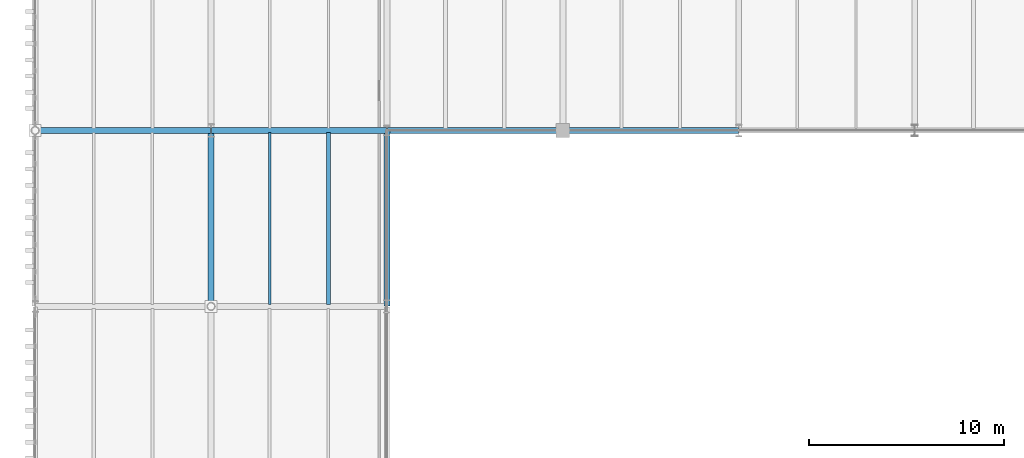
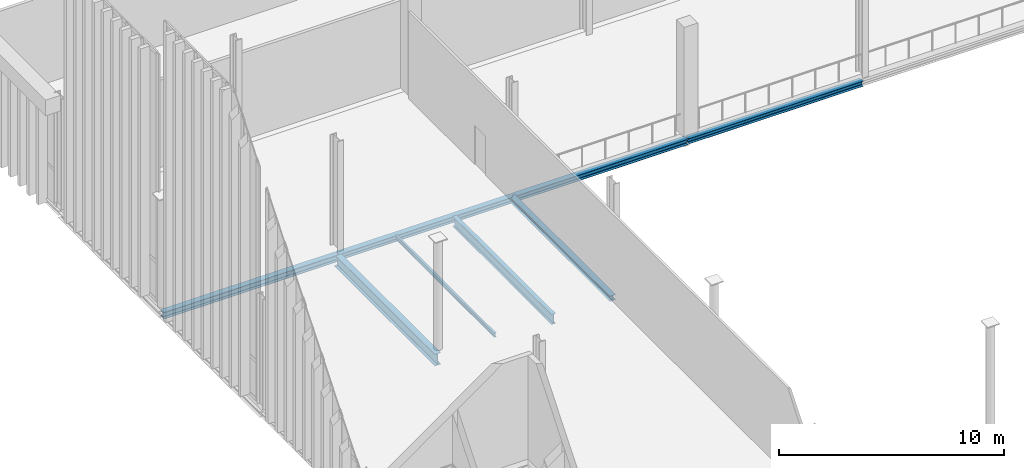
# One storey, part 61 of 237: 8 beams.
"""IFC4 building model written with IfcOpenShell, lengths in metres."""

from ifc_helpers import new_model, si_unit, direction, frame, origin, origin_2d, place, context, subcontext, project, spatial, i_section, extrude, material, material_profile, profile_set, type_object, element, save


model = new_model("IFC4")

# Units and contexts
model_context = context("Model", 3, precision=1e-05, world=origin(), true_north=direction((0.0, 1.0)))
body_context = subcontext(model_context, "Body", "Model", "MODEL_VIEW")
ifc_project = project(units=[si_unit("LENGTHUNIT", "METRE"), si_unit("AREAUNIT", "SQUARE_METRE"), si_unit("VOLUMEUNIT", "CUBIC_METRE"), si_unit("PLANEANGLEUNIT", "RADIAN"), si_unit("MASSUNIT", "GRAM", prefix="KILO")], contexts=[model_context])

# Site, building, storey
site_placement = place(None, origin())
site = spatial("IfcSite", under=ifc_project, at=site_placement, CompositionType="ELEMENT")
building_placement = place(site_placement, origin())
building = spatial("IfcBuilding", under=site, at=building_placement, Name="Barlavento Convention Centre", CompositionType="ELEMENT")
storey_placement = place(building_placement, frame((0.0, 0.0, 12.0)))
storey = spatial("IfcBuildingStorey", under=building, at=storey_placement, Name="L02", CompositionType="ELEMENT", Elevation=12.0)

# Beams
ifc_material = material(Name="Steel S355", Category="steel")
ifc_material_profile_1 = material_profile(ifc_material, i_section(OverallWidth=0.110107421875, OverallDepth=0.219970703125, WebThickness=0.005859375, FlangeThickness=0.00927734375, FilletRadius=0.011962890625, at=origin_2d()), Name="IPE 220")
ifc_profile_set_1 = profile_set([ifc_material_profile_1], Name="Steel S355")
beam_type_1 = type_object("IfcBeamType", Name="STR-BM-JST-IPE220", PredefinedType="JOIST", material=ifc_profile_set_1)
beam_1_placement = place(storey_placement, frame((12.0, 36.094970703125, -0.409912109375), z_axis=(0.0, 1.0, 0.0), x_axis=(-1.0, 0.0, 0.0)))
element("IfcBeam", 1, at=beam_1_placement, inside=storey, type_object=beam_type_1, Name="L02 composite floor joist SJ10", PredefinedType="JOIST", context=body_context, shape_type="SweptSolid", body=[
    extrude(i_section(OverallWidth=0.110107421875, OverallDepth=0.219970703125, WebThickness=0.005859375, FlangeThickness=0.00927734375, FilletRadius=0.011962890625, at=origin_2d()), origin(), (0.0, 0.0, 1.0), 8.81005859375),
])
ifc_material_profile_2 = material_profile(ifc_material, i_section(OverallWidth=0.2099609375, OverallDepth=0.550048828125, WebThickness=0.010986328125, FlangeThickness=0.01708984375, FilletRadius=0.02392578125, at=origin_2d()), Name="IPE 550")
ifc_profile_set_2 = profile_set([ifc_material_profile_2], Name="Steel S355")
beam_type_2 = type_object("IfcBeamType", Name="STR-BM-JST-IPE550", PredefinedType="JOIST", material=ifc_profile_set_2)
beam_2_placement = place(storey_placement, frame((15.0, 36.094970703125, -0.574951171875), z_axis=(0.0, 1.0, 0.0), x_axis=(-1.0, 0.0, 0.0)))
element("IfcBeam", 2, at=beam_2_placement, inside=storey, type_object=beam_type_2, Name="L02 composite floor joist SJ01", PredefinedType="JOIST", context=body_context, shape_type="SweptSolid", body=[
    extrude(i_section(OverallWidth=0.2099609375, OverallDepth=0.550048828125, WebThickness=0.010986328125, FlangeThickness=0.01708984375, FilletRadius=0.02392578125, at=origin_2d()), origin(), (0.0, 0.0, 1.0), 8.81005859375),
])
ifc_material_profile_3 = material_profile(ifc_material, i_section(OverallWidth=0.300048828125, OverallDepth=0.639892578125, WebThickness=0.013427734375, FlangeThickness=0.02587890625, FilletRadius=0.027099609375, at=origin_2d()), Name="HEA 650")
ifc_profile_set_3 = profile_set([ifc_material_profile_3], Name="Steel S355")
beam_type_3 = type_object("IfcBeamType", Name="STR-BM-PRI-HEA650", PredefinedType="BEAM", material=ifc_profile_set_3)
beam_3_placement = place(storey_placement, frame((9.0, 36.02001953125, -0.6201171875), z_axis=(0.0, 1.0, 0.0), x_axis=(-1.0, 0.0, 0.0)))
element("IfcBeam", 3, at=beam_3_placement, inside=storey, type_object=beam_type_3, Name="L02 grid girder BG17", PredefinedType="BEAM", context=body_context, shape_type="SweptSolid", body=[
    extrude(i_section(OverallWidth=0.300048828125, OverallDepth=0.639892578125, WebThickness=0.013427734375, FlangeThickness=0.02587890625, FilletRadius=0.027099609375, at=origin_2d()), origin(), (0.0, 0.0, 1.0), 8.9599609375),
])
ifc_material_profile_4 = material_profile(ifc_material, i_section(OverallWidth=0.300048828125, OverallDepth=0.320068359375, WebThickness=0.011474609375, FlangeThickness=0.0205078125, FilletRadius=0.027099609375, at=origin_2d()), Name="HEB 320")
ifc_profile_set_4 = profile_set([ifc_material_profile_4], Name="Steel S355")
beam_type_4 = type_object("IfcBeamType", Name="STR-BM-PRI-HEB320", PredefinedType="BEAM", material=ifc_profile_set_4)
beam_4_placement = place(storey_placement, frame((9.02001953125, 45.0, -0.4599609375), z_axis=(1.0, 0.0, 0.0), x_axis=(0.0, 1.0, 0.0)))
element("IfcBeam", 4, at=beam_4_placement, inside=storey, type_object=beam_type_4, Name="L02 primary girder BG13", PredefinedType="BEAM", context=body_context, shape_type="SweptSolid", body=[
    extrude(i_section(OverallWidth=0.300048828125, OverallDepth=0.320068359375, WebThickness=0.011474609375, FlangeThickness=0.0205078125, FilletRadius=0.027099609375, at=origin_2d()), origin(), (0.0, 0.0, 1.0), 8.9599609375),
])
ifc_material_profile_5 = material_profile(ifc_material, i_section(OverallWidth=0.300048828125, OverallDepth=0.360107421875, WebThickness=0.012451171875, FlangeThickness=0.0224609375, FilletRadius=0.027099609375, at=origin_2d()), Name="HEB 360")
ifc_profile_set_5 = profile_set([ifc_material_profile_5], Name="Steel S355")
beam_type_5 = type_object("IfcBeamType", Name="STR-BM-PRI-HEB360", PredefinedType="BEAM", material=ifc_profile_set_5)
beam_5_placement = place(storey_placement, frame((0.02001953125, 45.0, -0.47998046875), z_axis=(1.0, 0.0, 0.0), x_axis=(0.0, 1.0, 0.0)))
element("IfcBeam", 5, at=beam_5_placement, inside=storey, type_object=beam_type_5, Name="L02 primary girder BG12", PredefinedType="BEAM", context=body_context, shape_type="SweptSolid", body=[
    extrude(i_section(OverallWidth=0.300048828125, OverallDepth=0.360107421875, WebThickness=0.012451171875, FlangeThickness=0.0224609375, FilletRadius=0.027099609375, at=origin_2d()), origin(), (0.0, 0.0, 1.0), 8.9599609375),
])
ifc_material_profile_6 = material_profile(ifc_material, i_section(OverallWidth=0.300048828125, OverallDepth=0.2900390625, WebThickness=0.008544921875, FlangeThickness=0.013916015625, FilletRadius=0.027099609375, at=origin_2d()), Name="HEA 300")
ifc_profile_set_6 = profile_set([ifc_material_profile_6], Name="Steel S355")
beam_type_6 = type_object("IfcBeamType", Name="STR-BM-SPN-HEA300", PredefinedType="SPANDREL", material=ifc_profile_set_6)
for number, where, z_axis, x_axis, name in (
    (6, (27.02001953125, 45.0, -0.445068359375), (1.0, 0.0, 0.0), (0.0, 1.0, 0.0), "L02 primary girder SP02"),
    (7, (18.0, 36.02001953125, -0.445068359375), (0.0, 1.0, 0.0), (-1.0, 0.0, 0.0), "L02 grid girder SP02"),
):
    element("IfcBeam", number, at=place(storey_placement, frame(where, z_axis=z_axis, x_axis=x_axis)), inside=storey, type_object=beam_type_6, Name=name, PredefinedType="SPANDREL", context=body_context, shape_type="SweptSolid", body=[
        extrude(i_section(OverallWidth=0.300048828125, OverallDepth=0.2900390625, WebThickness=0.008544921875, FlangeThickness=0.013916015625, FilletRadius=0.027099609375, at=origin_2d()), origin(), (0.0, 0.0, 1.0), 8.9599609375),
    ])
ifc_material_profile_7 = material_profile(ifc_material, i_section(OverallWidth=0.300048828125, OverallDepth=0.31005859375, WebThickness=0.009033203125, FlangeThickness=0.015380859375, FilletRadius=0.027099609375, at=origin_2d()), Name="HEA 320")
ifc_profile_set_7 = profile_set([ifc_material_profile_7], Name="Steel S355")
beam_type_7 = type_object("IfcBeamType", Name="STR-BM-SPN-HEA320", PredefinedType="SPANDREL", material=ifc_profile_set_7)
beam_6_placement = place(storey_placement, frame((18.02001953125, 45.0, -0.455078125), z_axis=(1.0, 0.0, 0.0), x_axis=(0.0, 1.0, 0.0)))
element("IfcBeam", 8, at=beam_6_placement, inside=storey, type_object=beam_type_7, Name="L02 primary girder SP01", PredefinedType="SPANDREL", context=body_context, shape_type="SweptSolid", body=[
    extrude(i_section(OverallWidth=0.300048828125, OverallDepth=0.31005859375, WebThickness=0.009033203125, FlangeThickness=0.015380859375, FilletRadius=0.027099609375, at=origin_2d()), origin(), (0.0, 0.0, 1.0), 8.9599609375),
])

save(model, "model.ifc")
